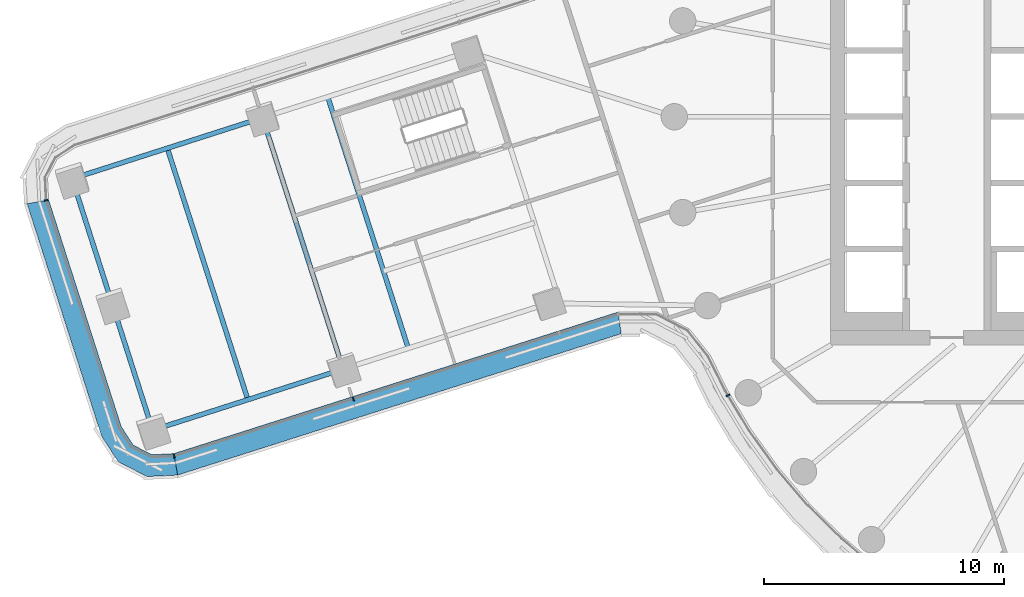
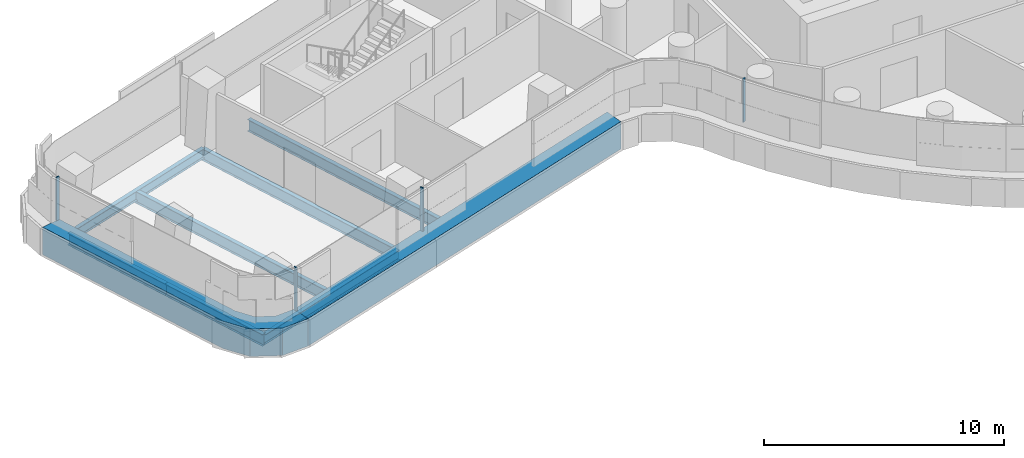
# One storey, part 4 of 30: 7 beams, 6 members, 3 elements without a shape of their own.
"""IFC4 building model written with IfcOpenShell, lengths in metres."""

from ifc_helpers import new_model, si_unit, direction, frame, origin, origin_2d, place, context, subcontext, project, spatial, polyline, rectangle, i_section, outline, extrude, material, layer, layer_set, material_profile, profile_set, type_object, element, aggregate, save


model = new_model("IFC4")

# Units and contexts
model_context = context("Model", 3, precision=1e-05, world=origin(), true_north=direction((0.0, 1.0)))
body_context = subcontext(model_context, "Body", "Model", "MODEL_VIEW")
ifc_project = project(units=[si_unit("LENGTHUNIT", "METRE"), si_unit("AREAUNIT", "SQUARE_METRE"), si_unit("VOLUMEUNIT", "CUBIC_METRE"), si_unit("PLANEANGLEUNIT", "RADIAN"), si_unit("MASSUNIT", "GRAM", prefix="KILO")], contexts=[model_context])

# Site, building, storey
site_placement = place(None, origin())
site = spatial("IfcSite", under=ifc_project, at=site_placement, CompositionType="ELEMENT")
building_placement = place(site_placement, origin())
building = spatial("IfcBuilding", under=site, at=building_placement, Name="Tamarind Cross Interchange Tower", CompositionType="ELEMENT")
storey_placement = place(building_placement, frame((0.0, 0.0, 98.5)))
storey = spatial("IfcBuildingStorey", under=building, at=storey_placement, Name="L23", CompositionType="ELEMENT", Elevation=98.5)

# Beams
ifc_material_1 = material(Name="Steel Q355B", Category="steel")
ifc_material_profile_1 = material_profile(ifc_material_1, i_section(OverallWidth=0.198974609375, OverallDepth=0.49609375, WebThickness=0.009033203125, FlangeThickness=0.013916015625, FilletRadius=0.012939453125, at=origin_2d()), Name="HN 496x199x9x14")
ifc_profile_set_1 = profile_set([ifc_material_profile_1], Name="Steel Q355B")
beam_type_1 = type_object("IfcBeamType", Name="Composite beam HN 496x199x9x14 Q355B", PredefinedType="BEAM", material=ifc_profile_set_1)
for number, where, z_axis, x_axis, name in (
    (1, (-48.087890625, -2.581298828125, -0.387939453125), (0.952333265495, 0.305059586692, 0.0), (-0.305059586692, 0.952333265495, 0.0), "Beam W-edgeem5"),
    (2, (-44.732421875, -13.05712890625, -0.387939453125), (0.952333265495, 0.305059586692, 0.0), (-0.305059586692, 0.952333265495, 0.0), "Beam W-edgeep2"),
):
    element("IfcBeam", number, at=place(storey_placement, frame(where, z_axis=z_axis, x_axis=x_axis)), inside=storey, type_object=beam_type_1, Name=name, PredefinedType="BEAM", context=body_context, shape_type="SweptSolid", body=[
        extrude(i_section(OverallWidth=0.198974609375, OverallDepth=0.49609375, WebThickness=0.009033203125, FlangeThickness=0.013916015625, FilletRadius=0.012939453125, at=origin_2d()), origin(), (0.0, 0.0, 1.0), 8.33203125),
    ])
ifc_material_profile_2 = material_profile(ifc_material_1, i_section(OverallWidth=0.199951171875, OverallDepth=0.60009765625, WebThickness=0.010986328125, FlangeThickness=0.01708984375, FilletRadius=0.012939453125, at=origin_2d()), Name="HN 600x200x11x17")
ifc_profile_set_2 = profile_set([ifc_material_profile_2], Name="Steel Q355B")
beam_type_2 = type_object("IfcBeamType", Name="Composite beam HN 600x200x11x17 Q355B", PredefinedType="BEAM", material=ifc_profile_set_2)
beam_1_placement = place(storey_placement, frame((-48.087890625, -2.581298828125, -0.43994140625), z_axis=(0.305046305392, -0.952337519773, 0.0), x_axis=(0.952337519773, 0.305046305392, 0.0)))
element("IfcBeam", 3, at=beam_1_placement, inside=storey, type_object=beam_type_2, Name="Beam W-tip0", PredefinedType="BEAM", context=body_context, shape_type="SweptSolid", body=[
    extrude(i_section(OverallWidth=0.199951171875, OverallDepth=0.60009765625, WebThickness=0.010986328125, FlangeThickness=0.01708984375, FilletRadius=0.012939453125, at=origin_2d()), origin(), (0.0, 0.0, 1.0), 5.5),
])
beam_2_placement = place(storey_placement, frame((-46.41015625, -7.819091796875, -0.43994140625), z_axis=(0.305033410376, -0.95234165012, 0.0), x_axis=(0.95234165012, 0.305033410376, 0.0)))
element("IfcBeam", 4, at=beam_2_placement, inside=storey, type_object=beam_type_2, Name="Beam W-tip1", PredefinedType="BEAM", context=body_context, shape_type="SweptSolid", body=[
    extrude(i_section(OverallWidth=0.199951171875, OverallDepth=0.60009765625, WebThickness=0.010986328125, FlangeThickness=0.01708984375, FilletRadius=0.012939453125, at=origin_2d()), origin(), (0.0, 0.0, 1.0), 5.500244140625),
])
for number, where, z_axis, x_axis, name in (
    (5, (-37.43896484375, 0.829833984375, -0.43994140625), (0.305039857755, -0.952339585012, 0.0), (0.952339585012, 0.305039857755, 0.0), "Beam W-x364"),
    (6, (-40.153076171875, -0.03955078125, -0.43994140625), (0.305039857755, -0.952339585012, 0.0), (0.952339585012, 0.305039857755, 0.0), "Beam W-x393"),
    (7, (-44.12060546875, -1.310546875, -0.43994140625), (0.305066434754, -0.952331071837, 0.0), (0.952331071837, 0.305066434754, 0.0), "Beam W-x435"),
):
    element("IfcBeam", number, at=place(storey_placement, frame(where, z_axis=z_axis, x_axis=x_axis)), inside=storey, type_object=beam_type_2, Name=name, PredefinedType="BEAM", context=body_context, shape_type="SweptSolid", body=[
        extrude(i_section(OverallWidth=0.199951171875, OverallDepth=0.60009765625, WebThickness=0.010986328125, FlangeThickness=0.01708984375, FilletRadius=0.012939453125, at=origin_2d()), origin(), (0.0, 0.0, 1.0), 11.0),
    ])

# Curtain wall, member
ifc_material_2 = material(Name="Aluminium 6063-T6", Category="aluminium")
ifc_layer = layer(ifc_material_2, 0.159912109375)
ifc_layer_set = layer_set([ifc_layer], Name="Aluminium 6063-T6")
curtain_wall_type = type_object("IfcCurtainWallType", Name="Office curtain wall, 9.0 m bays", PredefinedType="NOTDEFINED", material=ifc_layer_set)
curtain_wall_1_placement = place(storey_placement, origin())
curtain_wall_1 = element("IfcCurtainWall", 8, at=curtain_wall_1_placement, inside=storey, type_object=curtain_wall_type, Name="CWS-L23-08", PredefinedType="NOTDEFINED")
ifc_material_3 = material(Name="Aluminium and insulated spandrel panel", Category="aluminium")
member_type_1 = type_object("IfcMemberType", Name="Floor-edge blade transom", PredefinedType="USERDEFINED", material=ifc_material_3)
member_1_placement = place(storey_placement, origin())
member_1 = element("IfcMember", 9, at=member_1_placement, type_object=member_type_1, Name="CWT-L23-08", ObjectType="TRANSOM", PredefinedType="USERDEFINED", context=body_context, shape_type="SweptSolid", body=[
    extrude(outline(polyline([(-49.066162109375, -3.461181640625), (-46.039794921875, -12.909423828125), (-45.54443359375, -13.67919921875), (-44.766845703125, -14.079345703125), (-43.852294921875, -14.03515625), (-43.691162109375, -14.928466796875), (-44.96435546875, -14.989990234375), (-46.170654296875, -14.368896484375), (-46.860595703125, -13.296630859375), (-49.95947265625, -3.623046875), (-49.066162109375, -3.461181640625)])), origin(), (0.0, 0.0, 1.0), 1.39990234375),
])

curtain_wall_2_placement = place(storey_placement, origin())
curtain_wall_2 = element("IfcCurtainWall", 10, at=curtain_wall_2_placement, inside=storey, type_object=curtain_wall_type, Name="CWS-L23-09", PredefinedType="NOTDEFINED")
member_2_placement = place(storey_placement, origin())
member_2 = element("IfcMember", 11, at=member_2_placement, type_object=member_type_1, Name="CWT-L23-09", ObjectType="TRANSOM", PredefinedType="USERDEFINED", context=body_context, shape_type="SweptSolid", body=[
    extrude(outline(polyline([(-43.852294921875, -14.03515625), (-25.348388671875, -8.137451171875), (-25.20849609375, -9.037353515625), (-43.691162109375, -14.928466796875), (-43.852294921875, -14.03515625)])), origin(), (0.0, 0.0, 1.0), 1.39990234375),
])

# Member
ifc_material_profile_3 = material_profile(ifc_material_2, rectangle(XDim=0.06005859375, YDim=0.159912109375, at=origin_2d()), Name="Mullion CW1")
ifc_profile_set_3 = profile_set([ifc_material_profile_3], Name="Aluminium 6063-T6")
member_type_2 = type_object("IfcMemberType", Name="Mullion CW1", PredefinedType="MULLION", material=ifc_profile_set_3)
member_3_placement = place(storey_placement, frame((-49.16552734375, -3.479248046875, 1.39990234375), z_axis=(0.0, 0.0, 1.0), x_axis=(0.178142768927, -0.98400465135, 0.0)))
member_3 = element("IfcMember", 12, at=member_3_placement, type_object=member_type_2, Name="CWM-L23-08-00", PredefinedType="MULLION", context=body_context, shape_type="SweptSolid", body=[
    extrude(rectangle(XDim=0.06005859375, YDim=0.159912109375, at=origin_2d()), origin(), (0.0, 0.0, 1.0), 2.210205078125),
])

aggregate(curtain_wall_1, [member_3, member_1])

member_4_placement = place(storey_placement, frame((-43.83447265625, -14.134521484375, 1.39990234375), z_axis=(0.0, 0.0, 1.0), x_axis=(0.984132925632, 0.177432761031, 0.0)))
member_4 = element("IfcMember", 13, at=member_4_placement, type_object=member_type_2, Name="CWM-L23-09-00", PredefinedType="MULLION", context=body_context, shape_type="SweptSolid", body=[
    extrude(rectangle(XDim=0.06005859375, YDim=0.159912109375, at=origin_2d()), origin(), (0.0, 0.0, 1.0), 2.210205078125),
])

member_5_placement = place(storey_placement, frame((-36.370361328125, -11.75537109375, 1.39990234375), z_axis=(0.0, 0.0, 1.0), x_axis=(0.952773264992, 0.303682573614, 0.0)))
member_5 = element("IfcMember", 14, at=member_5_placement, type_object=member_type_2, Name="CWM-L23-09-01", PredefinedType="MULLION", context=body_context, shape_type="SweptSolid", body=[
    extrude(rectangle(XDim=0.06005859375, YDim=0.159912109375, at=origin_2d()), origin(), (0.0, 0.0, 1.0), 2.210205078125),
])

aggregate(curtain_wall_2, [member_4, member_5, member_2])

# Curtain wall, member
curtain_wall_3_placement = place(storey_placement, origin())
curtain_wall_3 = element("IfcCurtainWall", 15, at=curtain_wall_3_placement, inside=storey, type_object=curtain_wall_type, Name="CWS-L23-10", PredefinedType="NOTDEFINED")
member_6_placement = place(storey_placement, frame((-20.762939453125, -11.608154296875, 1.39990234375), z_axis=(0.0, 0.0, 1.0), x_axis=(0.515577308909, -0.856843065292, 0.0)))
member_6 = element("IfcMember", 16, at=member_6_placement, type_object=member_type_2, Name="CWM-L23-10-01", PredefinedType="MULLION", context=body_context, shape_type="SweptSolid", body=[
    extrude(rectangle(XDim=0.06005859375, YDim=0.159912109375, at=origin_2d()), origin(), (0.0, 0.0, 1.0), 2.210205078125),
])
aggregate(curtain_wall_3, [member_6])

save(model, "model.ifc")
